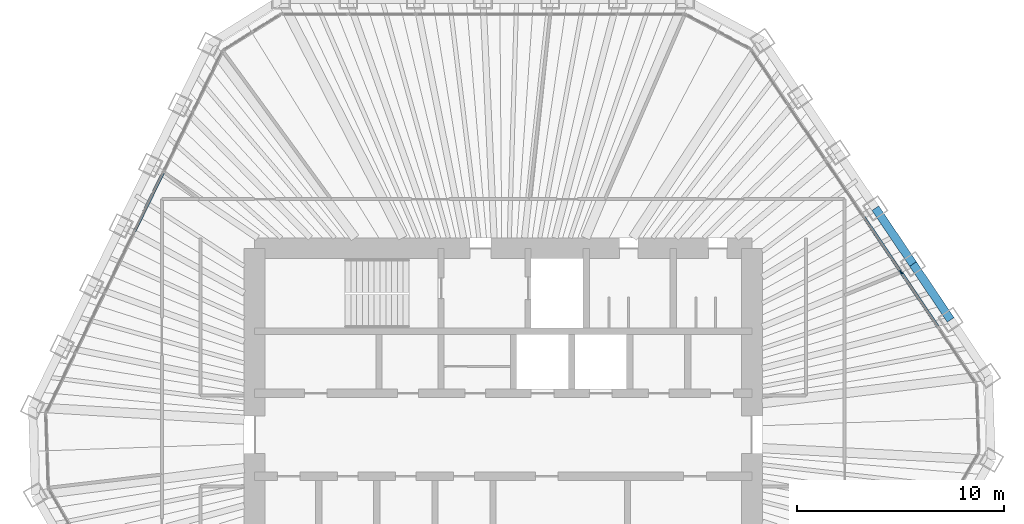
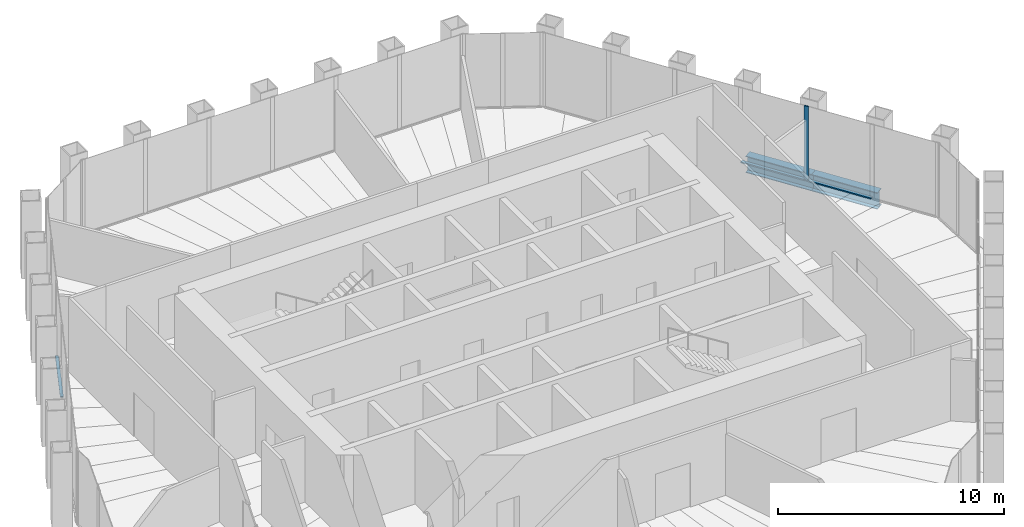
# One storey, part 6 of 14: 4 members, 2 beams, 2 elements without a shape of their own.
"""IFC4 building model written with IfcOpenShell, lengths in metres."""

import ifcopenshell
import ifcopenshell.guid

model = None  # the IFC model being written
_history = None  # IfcOwnerHistory: only IFC2X3 demands one
_inside = {}  # id of a spatial element -> (the spatial element, [elements in it])
_under = {}  # id of a project, library or spatial element -> (it, [spatial elements below it])
_declared = {}  # id of a project -> (the project, [libraries it declares])
_typed = {}  # id of a type object -> (the type object, [elements of that type])
_made_of = {}  # id of a material, layer set ... -> (it, [elements and type objects made of it])


def new_model(schema):
    """Start an empty IFC model of exactly this schema.

    Asked for "IFC4X3", IfcOpenShell would pick the latest addendum, in which some entities
    have other attributes; the version numbers below select the first issue.
    IFC2X3 requires an IfcOwnerHistory on every rooted entity: one is made here for all.
    """
    global model, _history
    if schema == "IFC4X3":
        model = ifcopenshell.file(schema_version=(4, 3, 0, 0))
    else:
        model = ifcopenshell.file(schema=schema)
    _inside.clear()
    _under.clear()
    _declared.clear()
    _typed.clear()
    _made_of.clear()
    _history = None
    if model.schema == "IFC2X3":
        org = make("IfcOrganization", Name="unknown")
        user = make(
            "IfcPersonAndOrganization",
            ThePerson=make("IfcPerson", FamilyName="unknown"),
            TheOrganization=org,
        )
        app = make(
            "IfcApplication",
            ApplicationDeveloper=org,
            Version="unknown",
            ApplicationFullName="unknown",
            ApplicationIdentifier="unknown",
        )
        _history = make(
            "IfcOwnerHistory",
            OwningUser=user,
            OwningApplication=app,
            ChangeAction="ADDED",
            CreationDate=0,
        )
    return model


def make(cls, **values):
    """One entity of the class cls with the attributes given. An attribute that is None is left unset."""
    return model.create_entity(
        cls, **{name: value for name, value in values.items() if value is not None}
    )


def rooted(cls, **values):
    """An entity with a GlobalId (a new one), such as an element, a storey or a relation."""
    return make(cls, GlobalId=ifcopenshell.guid.new(), OwnerHistory=_history, **values)


def si_unit(unit_type, name, prefix=None):
    """IfcSIUnit, for example si_unit("LENGTHUNIT", "METRE", prefix="MILLI")."""
    return make("IfcSIUnit", UnitType=unit_type, Prefix=prefix, Name=name)


def assignment(units):
    """IfcUnitAssignment: the units of a project."""
    return None if units is None else make("IfcUnitAssignment", Units=units)


def point(xyz):
    """IfcCartesianPoint."""
    return None if xyz is None else make("IfcCartesianPoint", Coordinates=xyz)


def direction(xyz):
    """IfcDirection."""
    return None if xyz is None else make("IfcDirection", DirectionRatios=xyz)


def frame(location, z_axis=None, x_axis=None):
    """IfcAxis2Placement3D, a coordinate frame: its origin and axes. An axis left out is left unset."""
    return make(
        "IfcAxis2Placement3D",
        Location=point(location),
        Axis=direction(z_axis),
        RefDirection=direction(x_axis),
    )


def frame_2d(location, x_axis=None):
    """IfcAxis2Placement2D, a coordinate frame in the plane: its origin and x axis."""
    return make(
        "IfcAxis2Placement2D", Location=point(location), RefDirection=direction(x_axis)
    )


def origin():
    """The frame at (0, 0, 0) with its axes left unset."""
    return frame((0.0, 0.0, 0.0))


def origin_2d():
    """The frame at (0, 0) in the plane with its x axis left unset."""
    return frame_2d((0.0, 0.0))


def place(relative_to, where):
    """IfcLocalPlacement: puts the frame where relative to a parent placement (None: the world)."""
    return make(
        "IfcLocalPlacement", PlacementRelTo=relative_to, RelativePlacement=where
    )


def context(
    kind, dimensions, precision=None, world=None, true_north=None, identifier=None
):
    """IfcGeometricRepresentationContext, for example the 3D "Model" context."""
    return make(
        "IfcGeometricRepresentationContext",
        ContextIdentifier=identifier,
        ContextType=kind,
        CoordinateSpaceDimension=dimensions,
        Precision=precision,
        WorldCoordinateSystem=world,
        TrueNorth=true_north,
    )


def subcontext(parent, identifier, kind, view, scale=None):
    """IfcGeometricRepresentationSubContext, for example "Body" below "Model"."""
    return make(
        "IfcGeometricRepresentationSubContext",
        ContextIdentifier=identifier,
        ContextType=kind,
        ParentContext=parent,
        TargetScale=scale,
        TargetView=view,
    )


def project(units=None, contexts=None):
    """IfcProject with its units and contexts."""
    return rooted(
        "IfcProject",
        Name="project",
        RepresentationContexts=contexts,
        UnitsInContext=assignment(units),
    )


def spatial(cls, under=None, at=None, **own):
    """A site, building, storey or space (cls), placed at a placement, below another one or the project."""
    s = rooted(cls, ObjectPlacement=at, **own)
    if under is not None:
        _under.setdefault(under.id(), (under, []))[1].append(s)
    return s


def profile(cls, at=None, kind="AREA", **sizes):
    """A parametric profile (cls). Its sizes go by their IFC names, for example OverallWidth=200.0."""
    return make(cls, ProfileType=kind, Position=at, **sizes)


def rectangle(**sizes):
    """IfcRectangleProfileDef."""
    return profile("IfcRectangleProfileDef", **sizes)


def i_section(**sizes):
    """IfcIShapeProfileDef."""
    return profile("IfcIShapeProfileDef", **sizes)


def extrude(swept, where, along, depth):
    """IfcExtrudedAreaSolid: the profile swept, set in the frame where, extruded along a direction by depth."""
    return make(
        "IfcExtrudedAreaSolid",
        SweptArea=swept,
        Position=where,
        ExtrudedDirection=direction(along),
        Depth=depth,
    )


def shape(context_of_items, identifier, shape_type, items):
    """IfcShapeRepresentation: the items that make up one representation, for example the "Body"."""
    return make(
        "IfcShapeRepresentation",
        ContextOfItems=context_of_items,
        RepresentationIdentifier=identifier,
        RepresentationType=shape_type,
        Items=items,
    )


def material(Name=None, Category=None):
    """IfcMaterial."""
    return make("IfcMaterial", Name=Name, Category=Category)


def material_profile(
    of_material, cross_section, Name=None, Category=None, Priority=None
):
    """IfcMaterialProfile: a cross section and its material."""
    return make(
        "IfcMaterialProfile",
        Name=Name,
        Material=of_material,
        Profile=cross_section,
        Priority=Priority,
        Category=Category,
    )


def profile_set(profiles, Name=None, composite=None):
    """IfcMaterialProfileSet."""
    return make(
        "IfcMaterialProfileSet",
        Name=Name,
        MaterialProfiles=profiles,
        CompositeProfile=composite,
    )


def made_of(thing, what):
    """Note that an element or type object is made of a material, layer set ...; save() writes the relation."""
    if what is not None:
        _made_of.setdefault(what.id(), (what, []))[1].append(thing)
    return thing


def type_object(cls, material=None, **own):
    """A type object (cls), such as IfcWallType, which elements share."""
    return made_of(rooted(cls, **own), material)


def element(
    cls,
    number,
    at=None,
    inside=None,
    cuts=None,
    type_object=None,
    material=None,
    context=None,
    identifier="Body",
    shape_type=None,
    held_by="IfcProductDefinitionShape",
    body=None,
    shapes=None,
    **own,
):
    """One element of the class cls, such as IfcWall. Its Tag is "e" and its number.

    at: its placement. inside: the storey or other place that contains it. cuts: it is an
    opening in that element (IfcRelVoidsElement). A single representation is given by context,
    identifier, shape_type and body (its items); several are given by shapes. held_by: the class
    of the entity that holds the representations. save() writes the other relations.
    """
    e = rooted(cls, Tag="e%d" % number, ObjectPlacement=at, **own)
    if body is not None:
        shapes = [shape(context, identifier, shape_type, body)]
    if shapes is not None:
        e.Representation = make(held_by, Representations=shapes)
    if inside is not None:
        _inside.setdefault(inside.id(), (inside, []))[1].append(e)
    if cuts is not None:
        rooted(
            "IfcRelVoidsElement", RelatingBuildingElement=cuts, RelatedOpeningElement=e
        )
    if type_object is not None:
        _typed.setdefault(type_object.id(), (type_object, []))[1].append(e)
    return made_of(e, material)


def aggregate(whole, parts):
    """IfcRelAggregates: a whole, such as a stair, and the parts it consists of."""
    return rooted("IfcRelAggregates", RelatingObject=whole, RelatedObjects=parts)


def save(model, path):
    """Write the relations noted so far, then the file.

    IfcRelAggregates (storeys below a building ...), IfcRelContainedInSpatialStructure (elements
    in a storey), IfcRelDefinesByType, IfcRelAssociatesMaterial and IfcRelDeclares: one each for
    every whole, place, type object, material and project.
    """
    for whole, parts in _under.values():
        aggregate(whole, parts)
    for where, things in _inside.values():
        rooted(
            "IfcRelContainedInSpatialStructure",
            RelatedElements=things,
            RelatingStructure=where,
        )
    for kind, things in _typed.values():
        rooted("IfcRelDefinesByType", RelatedObjects=things, RelatingType=kind)
    for what, things in _made_of.values():
        rooted("IfcRelAssociatesMaterial", RelatedObjects=things, RelatingMaterial=what)
    for by, libraries in _declared.values():
        rooted("IfcRelDeclares", RelatingContext=by, RelatedDefinitions=libraries)
    model.write(path)


model = new_model("IFC4")

# Units and contexts
model_context = context("Model", 3, precision=1e-05, world=origin(), true_north=direction((0.0, 1.0)))
body_context = subcontext(model_context, "Body", "Model", "MODEL_VIEW")
ifc_project = project(units=[si_unit("LENGTHUNIT", "METRE"), si_unit("AREAUNIT", "SQUARE_METRE"), si_unit("VOLUMEUNIT", "CUBIC_METRE"), si_unit("PLANEANGLEUNIT", "RADIAN"), si_unit("MASSUNIT", "GRAM", prefix="KILO")], contexts=[model_context])

# Site, building, storey
site_placement = place(None, origin())
site = spatial("IfcSite", under=ifc_project, at=site_placement, CompositionType="ELEMENT")
building_placement = place(site_placement, origin())
building = spatial("IfcBuilding", under=site, at=building_placement, Name="Qingtian Harvest Tower", CompositionType="ELEMENT")
storey_placement = place(building_placement, frame((0.0, 0.0, 287.199951171875)))
storey = spatial("IfcBuildingStorey", under=building, at=storey_placement, Name="L63", CompositionType="ELEMENT", Elevation=287.199951171875)

# Curtain wall, member
ifc_material_1 = material(Name="Bronze-anodised aluminium curtain wall", Category="aluminium")
curtain_wall_type = type_object("IfcCurtainWallType", Name="Curtain wall CW5 upper office", PredefinedType="USERDEFINED", material=ifc_material_1)
curtain_wall_1_placement = place(storey_placement, origin())
curtain_wall_1 = element("IfcCurtainWall", 1, at=curtain_wall_1_placement, inside=storey, type_object=curtain_wall_type, Name="Curtain wall CW5 L63 NE0-5", ObjectType="RECESSED CURTAIN WALL", PredefinedType="USERDEFINED")
ifc_material_2 = material(Name="Bronze-anodised aluminium mullion", Category="aluminium")
ifc_material_profile_1 = material_profile(ifc_material_2, rectangle(XDim=0.06494140625, YDim=0.199951171875, at=origin_2d()), Name="AL 65x200")
ifc_profile_set_1 = profile_set([ifc_material_profile_1], Name="Bronze-anodised aluminium mullion")
member_type_1 = type_object("IfcMemberType", Name="Mullion CWM 65x200", PredefinedType="MULLION", material=ifc_profile_set_1)
member_1_placement = place(storey_placement, frame((19.192626953125, 7.847900390625, 0.0), z_axis=(0.0, 0.0, 1.0), x_axis=(0.829037572555, 0.559192903471, 0.0)))
member_1 = element("IfcMember", 2, at=member_1_placement, type_object=member_type_1, Name="CW5 mullion 5", PredefinedType="MULLION", context=body_context, shape_type="SweptSolid", body=[
    extrude(rectangle(XDim=0.06494140625, YDim=0.199951171875, at=origin_2d()), origin(), (0.0, 0.0, 1.0), 4.030029296875),
])

# Beams
ifc_material_3 = material(Name="Steel SN490B", Category="steel")
ifc_material_profile_2 = material_profile(ifc_material_3, i_section(OverallWidth=0.39990234375, OverallDepth=0.89990234375, WebThickness=0.01904296875, FlangeThickness=0.035888671875, at=origin_2d()), Name="H900x400x19x36")
ifc_profile_set_2 = profile_set([ifc_material_profile_2], Name="Steel SN490B")
beam_type = type_object("IfcBeamType", Name="Spandrel beam SB4 H900x400x19x36", PredefinedType="SPANDREL", material=ifc_profile_set_2)
for number, where, z_axis, x_axis, name in (
    (3, (17.956787109375, 10.93212890625, -0.449951171875), (0.55915007887, -0.829066456504, 0.0), (0.829066456504, 0.55915007887, 0.0), "Spandrel SB4 NE3"),
    (4, (19.77294921875, 8.2392578125, -0.449951171875), (0.5592365864, -0.829008106372, 0.0), (0.829008106372, 0.5592365864, 0.0), "Spandrel SB4 NE4"),
):
    element("IfcBeam", number, at=place(storey_placement, frame(where, z_axis=z_axis, x_axis=x_axis)), inside=storey, type_object=beam_type, Name=name, PredefinedType="SPANDREL", context=body_context, shape_type="SweptSolid", body=[
        extrude(i_section(OverallWidth=0.39990234375, OverallDepth=0.89990234375, WebThickness=0.01904296875, FlangeThickness=0.035888671875, at=origin_2d()), origin(), (0.0, 0.0, 1.0), 3.248046875),
    ])

# Member
ifc_material_4 = material(Name="Bronze-anodised aluminium transom", Category="aluminium")
ifc_material_profile_3 = material_profile(ifc_material_4, rectangle(XDim=0.14990234375, YDim=0.06494140625, at=origin_2d()), Name="AL 65x150")
ifc_profile_set_3 = profile_set([ifc_material_profile_3], Name="Bronze-anodised aluminium transom")
member_type_2 = type_object("IfcMemberType", Name="Transom CWT 65x150", PredefinedType="USERDEFINED", material=ifc_profile_set_3)
member_2_placement = place(storey_placement, frame((17.39453125, 10.513671875, 0.032470703125), z_axis=(0.55920542009, -0.829029129852, 0.0), x_axis=(0.829029129852, 0.55920542009, 0.0)))
member_2 = element("IfcMember", 5, at=member_2_placement, type_object=member_type_2, Name="CW5 transom 4.1", ObjectType="TRANSOM", PredefinedType="USERDEFINED", context=body_context, shape_type="SweptSolid", body=[
    extrude(rectangle(XDim=0.14990234375, YDim=0.06494140625, at=origin_2d()), origin(), (0.0, 0.0, 1.0), 3.18310546875),
])

member_3_placement = place(storey_placement, frame((19.2109375, 7.821044921875, 0.032470703125), z_axis=(0.559152702955, -0.829064686727, 0.0), x_axis=(0.829064686727, 0.559152702955, 0.0)))
member_3 = element("IfcMember", 6, at=member_3_placement, type_object=member_type_2, Name="CW5 transom 5.1", ObjectType="TRANSOM", PredefinedType="USERDEFINED", context=body_context, shape_type="SweptSolid", body=[
    extrude(rectangle(XDim=0.14990234375, YDim=0.06494140625, at=origin_2d()), origin(), (0.0, 0.0, 1.0), 3.18310546875),
])

aggregate(curtain_wall_1, [member_1, member_2, member_3])

# Curtain wall, member
curtain_wall_2_placement = place(storey_placement, origin())
curtain_wall_2 = element("IfcCurtainWall", 7, at=curtain_wall_2_placement, inside=storey, type_object=curtain_wall_type, Name="Curtain wall CW5 L63 NW0-5", ObjectType="RECESSED CURTAIN WALL", PredefinedType="USERDEFINED")
member_4_placement = place(storey_placement, frame((-17.802490234375, 9.807373046875, 0.032470703125), z_axis=(0.438355626738, 0.898801615768, 0.0), x_axis=(-0.898801615768, 0.438355626738, 0.0)))
member_4 = element("IfcMember", 8, at=member_4_placement, type_object=member_type_2, Name="CW5 transom 4.1", ObjectType="TRANSOM", PredefinedType="USERDEFINED", context=body_context, shape_type="SweptSolid", body=[
    extrude(rectangle(XDim=0.14990234375, YDim=0.06494140625, at=origin_2d()), origin(), (0.0, 0.0, 1.0), 3.182861328125),
])
aggregate(curtain_wall_2, [member_4])

save(model, "model.ifc")
